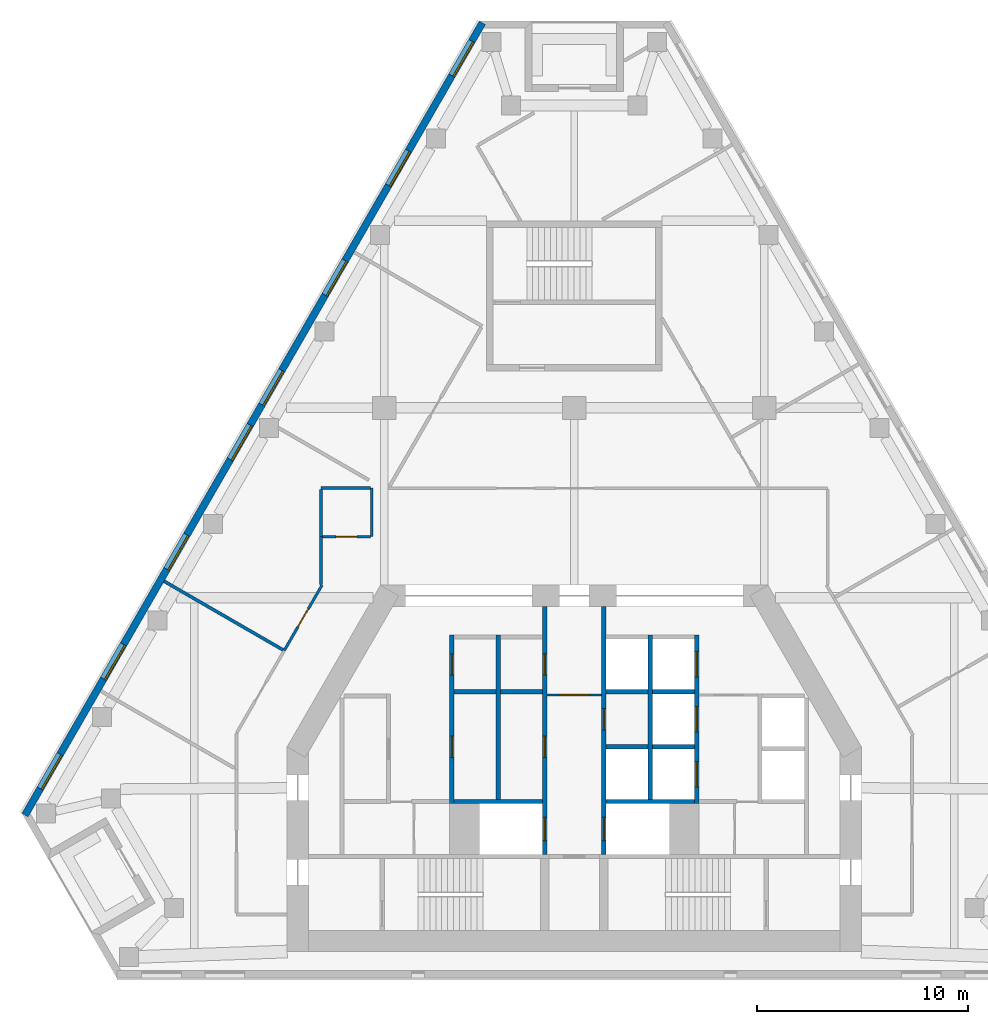
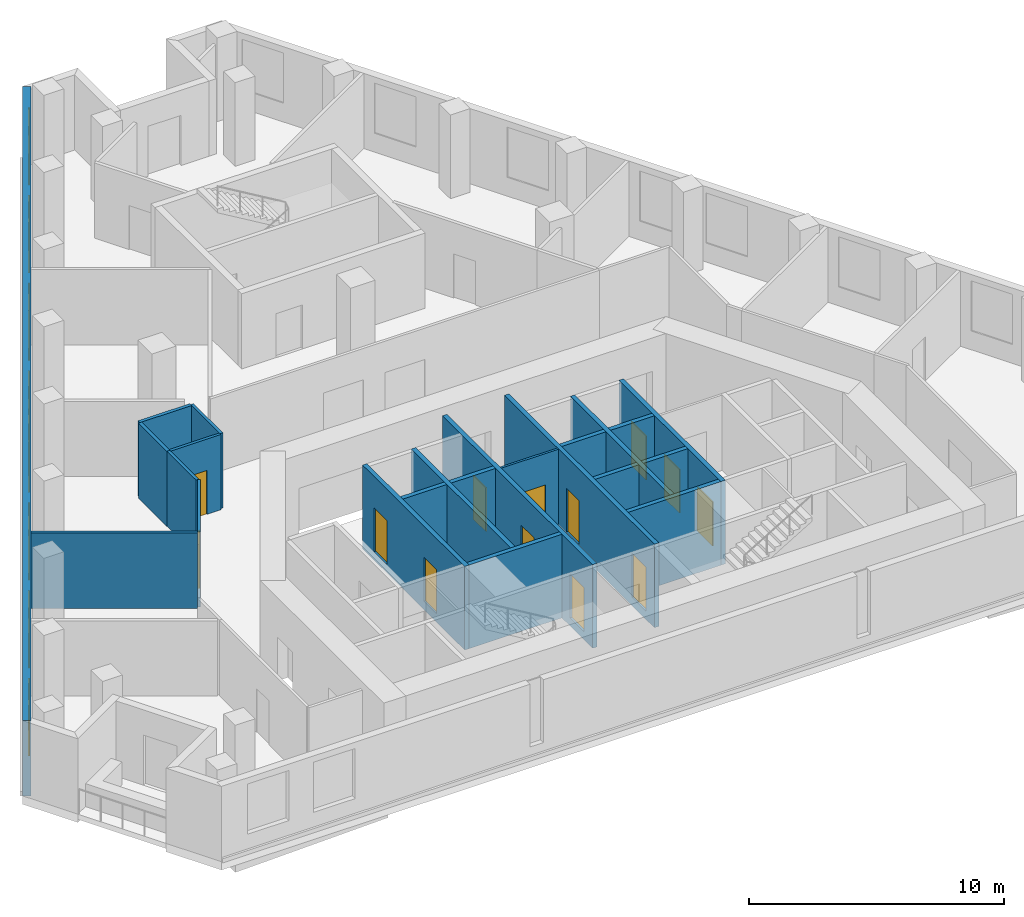
# One storey, part 3 of 7: 23 walls, 13 doors, 8 windows, 21 openings.
"""IFC4 building model written with IfcOpenShell, lengths in metres."""

from ifc_helpers import new_model, si_unit, direction, frame, frame_2d, origin, place, context, subcontext, project, spatial, rectangle, extrude, material, layer, layer_set, type_object, element, fill, save


model = new_model("IFC4")

# Units and contexts
model_context = context("Model", 3, precision=1e-05, world=origin(), true_north=direction((0.0, 1.0)))
body_context = subcontext(model_context, "Body", "Model", "MODEL_VIEW")
ifc_project = project(units=[si_unit("LENGTHUNIT", "METRE"), si_unit("AREAUNIT", "SQUARE_METRE"), si_unit("VOLUMEUNIT", "CUBIC_METRE"), si_unit("PLANEANGLEUNIT", "RADIAN"), si_unit("MASSUNIT", "GRAM", prefix="KILO")], contexts=[model_context])

# Site, building, storey
site_placement = place(None, origin())
site = spatial("IfcSite", under=ifc_project, at=site_placement, CompositionType="ELEMENT")
building_placement = place(site_placement, origin())
building = spatial("IfcBuilding", under=site, at=building_placement, Name="Fogline Exchange Tower", CompositionType="ELEMENT")
storey_placement = place(building_placement, frame((0.0, 0.0, 247.5)))
storey = spatial("IfcBuildingStorey", under=building, at=storey_placement, Name="L56", CompositionType="ELEMENT", Elevation=247.5)

# Wall, opening, door
ifc_material_1 = material(Name="Blockwork partition", Category="masonry")
ifc_layer_1 = layer(ifc_material_1, 0.10009765625)
ifc_layer_set_1 = layer_set([ifc_layer_1], Name="CW10")
wall_type_1 = type_object("IfcWallType", Name="CW10", PredefinedType="PARTITIONING", material=ifc_layer_set_1)
wall_1_placement = place(storey_placement, frame((-1.300048828125, 13.39990234375, 0.0), z_axis=(0.0, 0.0, 1.0), x_axis=(1.0, 0.0, 0.0)))
wall_1 = element("IfcWall", 1, at=wall_1_placement, inside=storey, type_object=wall_type_1, Name="Lift lobby partition", PredefinedType="PARTITIONING", context=body_context, shape_type="SweptSolid", body=[
    extrude(rectangle(XDim=2.60009765625, YDim=0.10009765625, at=frame_2d((1.300048828125, 0.0))), origin(), (0.0, 0.0, 1.0), 3.60009765625),
])
opening_1_placement = place(wall_1_placement, frame((0.60009765625, 0.0, 0.0)))
opening_1 = element("IfcOpeningElement", 2, at=opening_1_placement, cuts=wall_1, Name="Opening T18-C019", PredefinedType="OPENING", context=body_context, shape_type="SweptSolid", body=[
    extrude(rectangle(XDim=1.39990234375, YDim=2.10009765625, at=frame_2d((0.699951171875, 1.050048828125))), frame((0.0, 0.06005859375, 0.0), z_axis=(0.0, -1.0, 0.0), x_axis=(1.0, 0.0, 0.0)), (0.0, 0.0, 1.0), 0.1201171875),
])
ifc_material_2 = material(Name="Steel and timber fire door", Category="steel")
door_type_1 = type_object("IfcDoorType", Name="D-LB1", OperationType="DOUBLE_DOOR_SINGLE_SWING", PredefinedType="DOOR", material=ifc_material_2)
door_1_placement = place(opening_1_placement, origin())
door_1 = element("IfcDoor", 3, at=door_1_placement, inside=storey, type_object=door_type_1, Name="Door to firefighting lift lobby", OperationType="DOUBLE_DOOR_SINGLE_SWING", OverallHeight=2.10009765625, OverallWidth=1.39990234375, PredefinedType="DOOR", context=body_context, shape_type="SweptSolid", body=[
    extrude(rectangle(XDim=1.39990234375, YDim=2.10009765625, at=frame_2d((0.699951171875, 1.050048828125))), frame((0.0, 0.02490234375, 0.0), z_axis=(0.0, -1.0, 0.0), x_axis=(1.0, 0.0, 0.0)), (0.0, 0.0, 1.0), 0.050048828125),
])
fill(opening_1, door_1)

# Walls
ifc_material_3 = material(Name="Concrete C40", Category="concrete")
ifc_layer_2 = layer(ifc_material_3, 0.199951171875)
ifc_layer_set_2 = layer_set([ifc_layer_2], Name="CW20")
wall_type_2 = type_object("IfcWallType", Name="CW20", PredefinedType="SOLIDWALL", material=ifc_layer_set_2)
for number, where, z_axis, x_axis, name in (
    (4, (-5.699951171875, 13.550048828125, 0.0), (0.0, 0.0, 1.0), (1.0, 0.0, 0.0), "Service room wall"),
    (5, (-3.5, 13.550048828125, 0.0), (0.0, 0.0, 1.0), (1.0, 0.0, 0.0), "Service room wall"),
):
    element("IfcWall", number, at=place(storey_placement, frame(where, z_axis=z_axis, x_axis=x_axis)), inside=storey, type_object=wall_type_2, Name=name, PredefinedType="SOLIDWALL", context=body_context, shape_type="SweptSolid", body=[
        extrude(rectangle(XDim=2.0, YDim=0.199951171875, at=frame_2d((1.0, 0.0))), origin(), (0.0, 0.0, 1.0), 3.60009765625),
    ])

# Wall, openings, doors
ifc_layer_3 = layer(ifc_material_3, 0.199951171875)
ifc_layer_set_3 = layer_set([ifc_layer_3], Name="CW20S")
wall_type_3 = type_object("IfcWallType", Name="CW20S", PredefinedType="SOLIDWALL", material=ifc_layer_set_3)
wall_2_placement = place(storey_placement, frame((-5.800048828125, 8.25, -0.39990234375), z_axis=(0.0, 0.0, 1.0), x_axis=(0.0, 1.0, 0.0)))
wall_2 = element("IfcWall", 6, at=wall_2_placement, inside=storey, type_object=wall_type_3, Name="Lift shaft wall", PredefinedType="SOLIDWALL", context=body_context, shape_type="SweptSolid", body=[
    extrude(rectangle(XDim=8.0, YDim=0.199951171875, at=frame_2d((4.0, 0.0))), origin(), (0.0, 0.0, 1.0), 4.0),
])
opening_2_placement = place(wall_2_placement, frame((2.199951171875, 0.0, 0.39990234375)))
opening_2 = element("IfcOpeningElement", 7, at=opening_2_placement, cuts=wall_2, Name="Opening T18-C002", PredefinedType="OPENING", context=body_context, shape_type="SweptSolid", body=[
    extrude(rectangle(XDim=1.0, YDim=2.10009765625, at=frame_2d((0.5, 1.050048828125))), frame((0.0, 0.10986328125, 0.0), z_axis=(0.0, -1.0, 0.0), x_axis=(1.0, 0.0, 0.0)), (0.0, 0.0, 1.0), 0.219970703125),
])
opening_3_placement = place(wall_2_placement, frame((6.10009765625, 0.0, 0.39990234375)))
opening_3 = element("IfcOpeningElement", 8, at=opening_3_placement, cuts=wall_2, Name="Opening T18-C003", PredefinedType="OPENING", context=body_context, shape_type="SweptSolid", body=[
    extrude(rectangle(XDim=1.0, YDim=2.10009765625, at=frame_2d((0.5, 1.050048828125))), frame((0.0, 0.10986328125, 0.0), z_axis=(0.0, -1.0, 0.0), x_axis=(1.0, 0.0, 0.0)), (0.0, 0.0, 1.0), 0.219970703125),
])
door_type_2 = type_object("IfcDoorType", Name="D-RM1", OperationType="SINGLE_SWING_LEFT", PredefinedType="DOOR", material=ifc_material_2)
door_2_placement = place(opening_2_placement, frame((1.0, 0.0, 0.0), z_axis=(0.0, 0.0, 1.0), x_axis=(-1.0, 0.0, 0.0)))
door_2 = element("IfcDoor", 9, at=door_2_placement, inside=storey, type_object=door_type_2, Name="Door to Service Room", OperationType="SINGLE_SWING_LEFT", OverallHeight=2.10009765625, OverallWidth=1.0, PredefinedType="DOOR", context=body_context, shape_type="SweptSolid", body=[
    extrude(rectangle(XDim=1.0, YDim=2.10009765625, at=frame_2d((0.5, 1.050048828125))), frame((0.0, 0.02490234375, 0.0), z_axis=(0.0, -1.0, 0.0), x_axis=(1.0, 0.0, 0.0)), (0.0, 0.0, 1.0), 0.050048828125),
])
fill(opening_2, door_2)
door_3_placement = place(opening_3_placement, frame((1.0, 0.0, 0.0), z_axis=(0.0, 0.0, 1.0), x_axis=(-1.0, 0.0, 0.0)))
door_3 = element("IfcDoor", 10, at=door_3_placement, inside=storey, type_object=door_type_2, Name="Door to Records Store", OperationType="SINGLE_SWING_RIGHT", OverallHeight=2.10009765625, OverallWidth=1.0, PredefinedType="DOOR", context=body_context, shape_type="SweptSolid", body=[
    extrude(rectangle(XDim=1.0, YDim=2.10009765625, at=frame_2d((0.5, 1.050048828125))), frame((0.0, 0.02490234375, 0.0), z_axis=(0.0, -1.0, 0.0), x_axis=(1.0, 0.0, 0.0)), (0.0, 0.0, 1.0), 0.050048828125),
])
fill(opening_3, door_3)

wall_3_placement = place(storey_placement, frame((5.800048828125, 8.25, -0.39990234375), z_axis=(0.0, 0.0, 1.0), x_axis=(0.0, 1.0, 0.0)))
wall_3 = element("IfcWall", 11, at=wall_3_placement, inside=storey, type_object=wall_type_3, Name="Lift shaft wall", PredefinedType="SOLIDWALL", context=body_context, shape_type="SweptSolid", body=[
    extrude(rectangle(XDim=8.0, YDim=0.199951171875, at=frame_2d((4.0, 0.0))), origin(), (0.0, 0.0, 1.0), 4.0),
])
opening_4_placement = place(wall_3_placement, frame((0.800048828125, 0.0, 0.39990234375)))
opening_4 = element("IfcOpeningElement", 12, at=opening_4_placement, cuts=wall_3, Name="Opening T18-LD02", PredefinedType="OPENING", context=body_context, shape_type="SweptSolid", body=[
    extrude(rectangle(XDim=1.199951171875, YDim=2.10009765625, at=frame_2d((0.60009765625, 1.050048828125))), frame((0.0, 0.10986328125, 0.0), z_axis=(0.0, -1.0, 0.0), x_axis=(1.0, 0.0, 0.0)), (0.0, 0.0, 1.0), 0.219970703125),
])
opening_5_placement = place(wall_3_placement, frame((3.39990234375, 0.0, 0.39990234375)))
opening_5 = element("IfcOpeningElement", 13, at=opening_5_placement, cuts=wall_3, Name="Opening T18-LD03", PredefinedType="OPENING", context=body_context, shape_type="SweptSolid", body=[
    extrude(rectangle(XDim=1.199951171875, YDim=2.10009765625, at=frame_2d((0.60009765625, 1.050048828125))), frame((0.0, 0.10986328125, 0.0), z_axis=(0.0, -1.0, 0.0), x_axis=(1.0, 0.0, 0.0)), (0.0, 0.0, 1.0), 0.219970703125),
])
opening_6_placement = place(wall_3_placement, frame((6.0, 0.0, 0.39990234375)))
opening_6 = element("IfcOpeningElement", 14, at=opening_6_placement, cuts=wall_3, Name="Opening T18-LD04", PredefinedType="OPENING", context=body_context, shape_type="SweptSolid", body=[
    extrude(rectangle(XDim=1.199951171875, YDim=2.10009765625, at=frame_2d((0.60009765625, 1.050048828125))), frame((0.0, 0.10986328125, 0.0), z_axis=(0.0, -1.0, 0.0), x_axis=(1.0, 0.0, 0.0)), (0.0, 0.0, 1.0), 0.219970703125),
])
door_type_3 = type_object("IfcDoorType", Name="LD1", OperationType="SLIDING_TO_LEFT", PredefinedType="DOOR", material=ifc_material_2)
door_4_placement = place(opening_4_placement, origin())
door_4 = element("IfcDoor", 15, at=door_4_placement, inside=storey, type_object=door_type_3, Name="Landing door MR1", OperationType="SLIDING_TO_LEFT", OverallHeight=2.10009765625, OverallWidth=1.199951171875, PredefinedType="DOOR", context=body_context, shape_type="SweptSolid", body=[
    extrude(rectangle(XDim=1.199951171875, YDim=2.10009765625, at=frame_2d((0.60009765625, 1.050048828125))), frame((0.0, 0.02490234375, 0.0), z_axis=(0.0, -1.0, 0.0), x_axis=(1.0, 0.0, 0.0)), (0.0, 0.0, 1.0), 0.050048828125),
])
fill(opening_4, door_4)
door_5_placement = place(opening_5_placement, origin())
door_5 = element("IfcDoor", 16, at=door_5_placement, inside=storey, type_object=door_type_3, Name="Landing door MR2", OperationType="SLIDING_TO_LEFT", OverallHeight=2.10009765625, OverallWidth=1.199951171875, PredefinedType="DOOR", context=body_context, shape_type="SweptSolid", body=[
    extrude(rectangle(XDim=1.199951171875, YDim=2.10009765625, at=frame_2d((0.60009765625, 1.050048828125))), frame((0.0, 0.02490234375, 0.0), z_axis=(0.0, -1.0, 0.0), x_axis=(1.0, 0.0, 0.0)), (0.0, 0.0, 1.0), 0.050048828125),
])
fill(opening_5, door_5)
door_6_placement = place(opening_6_placement, origin())
door_6 = element("IfcDoor", 17, at=door_6_placement, inside=storey, type_object=door_type_3, Name="Landing door MR3", OperationType="SLIDING_TO_LEFT", OverallHeight=2.10009765625, OverallWidth=1.199951171875, PredefinedType="DOOR", context=body_context, shape_type="SweptSolid", body=[
    extrude(rectangle(XDim=1.199951171875, YDim=2.10009765625, at=frame_2d((0.60009765625, 1.050048828125))), frame((0.0, 0.02490234375, 0.0), z_axis=(0.0, -1.0, 0.0), x_axis=(1.0, 0.0, 0.0)), (0.0, 0.0, 1.0), 0.050048828125),
])
fill(opening_6, door_6)

# Walls
for number, where, z_axis, x_axis, name in (
    (18, (-3.60009765625, 8.449951171875, -0.39990234375), (0.0, 0.0, 1.0), (0.0, 1.0, 0.0), "Lift shaft wall"),
    (19, (3.60009765625, 8.449951171875, -0.39990234375), (0.0, 0.0, 1.0), (0.0, 1.0, 0.0), "Lift shaft wall"),
):
    element("IfcWall", number, at=place(storey_placement, frame(where, z_axis=z_axis, x_axis=x_axis)), inside=storey, type_object=wall_type_3, Name=name, PredefinedType="SOLIDWALL", context=body_context, shape_type="SweptSolid", body=[
        extrude(rectangle(XDim=7.800048828125, YDim=0.199951171875, at=frame_2d((3.89990234375, 0.0))), origin(), (0.0, 0.0, 1.0), 4.0),
    ])

# Wall, openings, doors
wall_4_placement = place(storey_placement, frame((-1.39990234375, 5.85009765625, -0.39990234375), z_axis=(0.0, 0.0, 1.0), x_axis=(0.0, 1.0, 0.0)))
wall_4 = element("IfcWall", 20, at=wall_4_placement, inside=storey, type_object=wall_type_3, Name="Lift lobby wall", PredefinedType="SOLIDWALL", context=body_context, shape_type="SweptSolid", body=[
    extrude(rectangle(XDim=11.75, YDim=0.199951171875, at=frame_2d((5.875, 0.0))), origin(), (0.0, 0.0, 1.0), 4.0),
])
opening_7_placement = place(wall_4_placement, frame((0.64990234375, 0.0, 0.39990234375)))
opening_7 = element("IfcOpeningElement", 21, at=opening_7_placement, cuts=wall_4, Name="Opening T18-LD01", PredefinedType="OPENING", context=body_context, shape_type="SweptSolid", body=[
    extrude(rectangle(XDim=1.10009765625, YDim=2.10009765625, at=frame_2d((0.550048828125, 1.050048828125))), frame((0.0, 0.10986328125, 0.0), z_axis=(0.0, -1.0, 0.0), x_axis=(1.0, 0.0, 0.0)), (0.0, 0.0, 1.0), 0.219970703125),
])
opening_8_placement = place(wall_4_placement, frame((4.60009765625, 0.0, 0.39990234375)))
opening_8 = element("IfcOpeningElement", 22, at=opening_8_placement, cuts=wall_4, Name="Opening T18-C004", PredefinedType="OPENING", context=body_context, shape_type="SweptSolid", body=[
    extrude(rectangle(XDim=1.0, YDim=2.10009765625, at=frame_2d((0.5, 1.050048828125))), frame((0.0, 0.10986328125, 0.0), z_axis=(0.0, -1.0, 0.0), x_axis=(1.0, 0.0, 0.0)), (0.0, 0.0, 1.0), 0.219970703125),
])
opening_9_placement = place(wall_4_placement, frame((8.5, 0.0, 0.39990234375)))
opening_9 = element("IfcOpeningElement", 23, at=opening_9_placement, cuts=wall_4, Name="Opening T18-C005", PredefinedType="OPENING", context=body_context, shape_type="SweptSolid", body=[
    extrude(rectangle(XDim=1.0, YDim=2.10009765625, at=frame_2d((0.5, 1.050048828125))), frame((0.0, 0.10986328125, 0.0), z_axis=(0.0, -1.0, 0.0), x_axis=(1.0, 0.0, 0.0)), (0.0, 0.0, 1.0), 0.219970703125),
])
door_7_placement = place(opening_8_placement, origin())
door_7 = element("IfcDoor", 24, at=door_7_placement, inside=storey, type_object=door_type_2, Name="Door to Plant Room", OperationType="SINGLE_SWING_LEFT", OverallHeight=2.10009765625, OverallWidth=1.0, PredefinedType="DOOR", context=body_context, shape_type="SweptSolid", body=[
    extrude(rectangle(XDim=1.0, YDim=2.10009765625, at=frame_2d((0.5, 1.050048828125))), frame((0.0, 0.02490234375, 0.0), z_axis=(0.0, -1.0, 0.0), x_axis=(1.0, 0.0, 0.0)), (0.0, 0.0, 1.0), 0.050048828125),
])
fill(opening_8, door_7)
door_8_placement = place(opening_9_placement, origin())
door_8 = element("IfcDoor", 25, at=door_8_placement, inside=storey, type_object=door_type_2, Name="Door to Plant Room", OperationType="SINGLE_SWING_LEFT", OverallHeight=2.10009765625, OverallWidth=1.0, PredefinedType="DOOR", context=body_context, shape_type="SweptSolid", body=[
    extrude(rectangle(XDim=1.0, YDim=2.10009765625, at=frame_2d((0.5, 1.050048828125))), frame((0.0, 0.02490234375, 0.0), z_axis=(0.0, -1.0, 0.0), x_axis=(1.0, 0.0, 0.0)), (0.0, 0.0, 1.0), 0.050048828125),
])
fill(opening_9, door_8)
door_type_4 = type_object("IfcDoorType", Name="LD2", OperationType="SLIDING_TO_RIGHT", PredefinedType="DOOR", material=ifc_material_2)
door_9_placement = place(opening_7_placement, origin())
door_9 = element("IfcDoor", 26, at=door_9_placement, inside=storey, type_object=door_type_4, Name="Landing door FF1", OperationType="SLIDING_TO_RIGHT", OverallHeight=2.10009765625, OverallWidth=1.10009765625, PredefinedType="DOOR", context=body_context, shape_type="SweptSolid", body=[
    extrude(rectangle(XDim=1.10009765625, YDim=2.10009765625, at=frame_2d((0.550048828125, 1.050048828125))), frame((0.0, 0.02490234375, 0.0), z_axis=(0.0, -1.0, 0.0), x_axis=(1.0, 0.0, 0.0)), (0.0, 0.0, 1.0), 0.050048828125),
])
fill(opening_7, door_9)

wall_5_placement = place(storey_placement, frame((1.39990234375, 5.85009765625, -0.39990234375), z_axis=(0.0, 0.0, 1.0), x_axis=(0.0, 1.0, 0.0)))
wall_5 = element("IfcWall", 27, at=wall_5_placement, inside=storey, type_object=wall_type_3, Name="Lift lobby wall", PredefinedType="SOLIDWALL", context=body_context, shape_type="SweptSolid", body=[
    extrude(rectangle(XDim=11.75, YDim=0.199951171875, at=frame_2d((5.875, 0.0))), origin(), (0.0, 0.0, 1.0), 4.0),
])
opening_10_placement = place(wall_5_placement, frame((0.64990234375, 0.0, 0.39990234375)))
opening_10 = element("IfcOpeningElement", 28, at=opening_10_placement, cuts=wall_5, Name="Opening T18-LD05", PredefinedType="OPENING", context=body_context, shape_type="SweptSolid", body=[
    extrude(rectangle(XDim=1.10009765625, YDim=2.10009765625, at=frame_2d((0.550048828125, 1.050048828125))), frame((0.0, 0.10986328125, 0.0), z_axis=(0.0, -1.0, 0.0), x_axis=(1.0, 0.0, 0.0)), (0.0, 0.0, 1.0), 0.219970703125),
])
opening_11_placement = place(wall_5_placement, frame((5.89990234375, 0.0, 0.39990234375)))
opening_11 = element("IfcOpeningElement", 29, at=opening_11_placement, cuts=wall_5, Name="Opening T18-C006", PredefinedType="OPENING", context=body_context, shape_type="SweptSolid", body=[
    extrude(rectangle(XDim=1.0, YDim=2.10009765625, at=frame_2d((0.5, 1.050048828125))), frame((0.0, 0.10986328125, 0.0), z_axis=(0.0, -1.0, 0.0), x_axis=(1.0, 0.0, 0.0)), (0.0, 0.0, 1.0), 0.219970703125),
])
door_10_placement = place(opening_11_placement, frame((1.0, 0.0, 0.0), z_axis=(0.0, 0.0, 1.0), x_axis=(-1.0, 0.0, 0.0)))
door_10 = element("IfcDoor", 30, at=door_10_placement, inside=storey, type_object=door_type_2, Name="Door to Library Store", OperationType="SINGLE_SWING_RIGHT", OverallHeight=2.10009765625, OverallWidth=1.0, PredefinedType="DOOR", context=body_context, shape_type="SweptSolid", body=[
    extrude(rectangle(XDim=1.0, YDim=2.10009765625, at=frame_2d((0.5, 1.050048828125))), frame((0.0, 0.02490234375, 0.0), z_axis=(0.0, -1.0, 0.0), x_axis=(1.0, 0.0, 0.0)), (0.0, 0.0, 1.0), 0.050048828125),
])
fill(opening_11, door_10)
door_11_placement = place(opening_10_placement, origin())
door_11 = element("IfcDoor", 31, at=door_11_placement, inside=storey, type_object=door_type_4, Name="Landing door FF2", OperationType="SLIDING_TO_RIGHT", OverallHeight=2.10009765625, OverallWidth=1.10009765625, PredefinedType="DOOR", context=body_context, shape_type="SweptSolid", body=[
    extrude(rectangle(XDim=1.10009765625, YDim=2.10009765625, at=frame_2d((0.550048828125, 1.050048828125))), frame((0.0, 0.02490234375, 0.0), z_axis=(0.0, -1.0, 0.0), x_axis=(1.0, 0.0, 0.0)), (0.0, 0.0, 1.0), 0.050048828125),
])
fill(opening_10, door_11)

# Walls
for number, where, z_axis, x_axis, name in (
    (32, (-5.699951171875, 8.35009765625, -0.39990234375), (0.0, 0.0, 1.0), (1.0, 0.0, 0.0), "Lift shaft wall"),
    (33, (1.5, 8.35009765625, -0.39990234375), (0.0, 0.0, 1.0), (1.0, 0.0, 0.0), "Lift shaft wall"),
):
    element("IfcWall", number, at=place(storey_placement, frame(where, z_axis=z_axis, x_axis=x_axis)), inside=storey, type_object=wall_type_3, Name=name, PredefinedType="SOLIDWALL", context=body_context, shape_type="SweptSolid", body=[
        extrude(rectangle(XDim=4.199951171875, YDim=0.199951171875, at=frame_2d((2.10009765625, 0.0))), origin(), (0.0, 0.0, 1.0), 4.0),
    ])
for number, where, z_axis, x_axis, name in (
    (34, (3.699951171875, 10.949951171875, -0.39990234375), (0.0, 0.0, 1.0), (1.0, 0.0, 0.0), "Lift shaft wall"),
    (35, (3.699951171875, 13.550048828125, -0.39990234375), (0.0, 0.0, 1.0), (1.0, 0.0, 0.0), "Lift shaft wall"),
    (36, (1.5, 10.949951171875, -0.39990234375), (0.0, 0.0, 1.0), (1.0, 0.0, 0.0), "Lift shaft wall"),
    (37, (1.5, 13.550048828125, -0.39990234375), (0.0, 0.0, 1.0), (1.0, 0.0, 0.0), "Lift shaft wall"),
):
    element("IfcWall", number, at=place(storey_placement, frame(where, z_axis=z_axis, x_axis=x_axis)), inside=storey, type_object=wall_type_3, Name=name, PredefinedType="SOLIDWALL", context=body_context, shape_type="SweptSolid", body=[
        extrude(rectangle(XDim=2.0, YDim=0.199951171875, at=frame_2d((1.0, 0.0))), origin(), (0.0, 0.0, 1.0), 4.0),
    ])

# Wall, openings, windows
ifc_material_4 = material(Name="Brick masonry", Category="masonry")
ifc_layer_4 = layer(ifc_material_4, 0.340087890625)
ifc_layer_set_4 = layer_set([ifc_layer_4], Name="FW1")
wall_type_4 = type_object("IfcWallType", Name="FW1", PredefinedType="SOLIDWALL", material=ifc_layer_set_4)
wall_6_placement = place(storey_placement, frame((-4.352783203125, 45.24169921875, 0.0), z_axis=(0.0, 0.0, 1.0), x_axis=(-0.500000891752, -0.866024888931, 0.0)))
wall_6 = element("IfcWall", 38, at=wall_6_placement, inside=storey, type_object=wall_type_4, Name="Brick wall L56 W", PredefinedType="SOLIDWALL", context=body_context, shape_type="SweptSolid", body=[
    extrude(rectangle(XDim=43.3388671875, YDim=0.340087890625, at=frame_2d((21.66943359375, 0.0))), origin(), (0.0, 0.0, 1.0), 3.60009765625),
])
opening_12_placement = place(wall_6_placement, frame((1.004150390625, 0.0, 0.89990234375)))
opening_12 = element("IfcOpeningElement", 39, at=opening_12_placement, cuts=wall_6, Name="Opening W1", PredefinedType="OPENING", context=body_context, shape_type="SweptSolid", body=[
    extrude(rectangle(XDim=1.885009765625, YDim=2.39990234375, at=frame_2d((0.9423828125, 1.199951171875))), frame((0.0, 0.18017578125, 0.0), z_axis=(0.0, -1.0, 0.0), x_axis=(1.0, 0.0, 0.0)), (0.0, 0.0, 1.0), 0.360107421875),
])
opening_13_placement = place(wall_6_placement, frame((7.004150390625, 0.0, 0.89990234375)))
opening_13 = element("IfcOpeningElement", 40, at=opening_13_placement, cuts=wall_6, Name="Opening W1", PredefinedType="OPENING", context=body_context, shape_type="SweptSolid", body=[
    extrude(rectangle(XDim=1.885009765625, YDim=2.39990234375, at=frame_2d((0.9423828125, 1.199951171875))), frame((0.0, 0.18017578125, 0.0), z_axis=(0.0, -1.0, 0.0), x_axis=(1.0, 0.0, 0.0)), (0.0, 0.0, 1.0), 0.360107421875),
])
opening_14_placement = place(wall_6_placement, frame((13.004150390625, 0.0, 0.89990234375)))
opening_14 = element("IfcOpeningElement", 41, at=opening_14_placement, cuts=wall_6, Name="Opening W1", PredefinedType="OPENING", context=body_context, shape_type="SweptSolid", body=[
    extrude(rectangle(XDim=1.885009765625, YDim=2.39990234375, at=frame_2d((0.9423828125, 1.199951171875))), frame((0.0, 0.18017578125, 0.0), z_axis=(0.0, -1.0, 0.0), x_axis=(1.0, 0.0, 0.0)), (0.0, 0.0, 1.0), 0.360107421875),
])
opening_15_placement = place(wall_6_placement, frame((19.004150390625, 0.0, 0.89990234375)))
opening_15 = element("IfcOpeningElement", 42, at=opening_15_placement, cuts=wall_6, Name="Opening W1", PredefinedType="OPENING", context=body_context, shape_type="SweptSolid", body=[
    extrude(rectangle(XDim=1.885009765625, YDim=2.39990234375, at=frame_2d((0.9423828125, 1.199951171875))), frame((0.0, 0.18017578125, 0.0), z_axis=(0.0, -1.0, 0.0), x_axis=(1.0, 0.0, 0.0)), (0.0, 0.0, 1.0), 0.360107421875),
])
opening_16_placement = place(wall_6_placement, frame((22.004150390625, 0.0, 0.89990234375)))
opening_16 = element("IfcOpeningElement", 43, at=opening_16_placement, cuts=wall_6, Name="Opening W1", PredefinedType="OPENING", context=body_context, shape_type="SweptSolid", body=[
    extrude(rectangle(XDim=1.885009765625, YDim=2.39990234375, at=frame_2d((0.9423828125, 1.199951171875))), frame((0.0, 0.18017578125, 0.0), z_axis=(0.0, -1.0, 0.0), x_axis=(1.0, 0.0, 0.0)), (0.0, 0.0, 1.0), 0.360107421875),
])
opening_17_placement = place(wall_6_placement, frame((28.004150390625, 0.0, 0.89990234375)))
opening_17 = element("IfcOpeningElement", 44, at=opening_17_placement, cuts=wall_6, Name="Opening W1", PredefinedType="OPENING", context=body_context, shape_type="SweptSolid", body=[
    extrude(rectangle(XDim=1.885009765625, YDim=2.39990234375, at=frame_2d((0.9423828125, 1.199951171875))), frame((0.0, 0.18017578125, 0.0), z_axis=(0.0, -1.0, 0.0), x_axis=(1.0, 0.0, 0.0)), (0.0, 0.0, 1.0), 0.360107421875),
])
opening_18_placement = place(wall_6_placement, frame((34.004150390625, 0.0, 0.89990234375)))
opening_18 = element("IfcOpeningElement", 45, at=opening_18_placement, cuts=wall_6, Name="Opening W1", PredefinedType="OPENING", context=body_context, shape_type="SweptSolid", body=[
    extrude(rectangle(XDim=1.885009765625, YDim=2.39990234375, at=frame_2d((0.9423828125, 1.199951171875))), frame((0.0, 0.18017578125, 0.0), z_axis=(0.0, -1.0, 0.0), x_axis=(1.0, 0.0, 0.0)), (0.0, 0.0, 1.0), 0.360107421875),
])
opening_19_placement = place(wall_6_placement, frame((40.004150390625, 0.0, 0.89990234375)))
opening_19 = element("IfcOpeningElement", 46, at=opening_19_placement, cuts=wall_6, Name="Opening W1", PredefinedType="OPENING", context=body_context, shape_type="SweptSolid", body=[
    extrude(rectangle(XDim=1.885009765625, YDim=2.39990234375, at=frame_2d((0.9423828125, 1.199951171875))), frame((0.0, 0.18017578125, 0.0), z_axis=(0.0, -1.0, 0.0), x_axis=(1.0, 0.0, 0.0)), (0.0, 0.0, 1.0), 0.360107421875),
])
ifc_material_5 = material(Name="Aluminium and glass", Category="aluminium")
window_type = type_object("IfcWindowType", Name="W1", PartitioningType="SINGLE_PANEL", PredefinedType="WINDOW", material=ifc_material_5)
window_1_placement = place(opening_12_placement, origin())
window_1 = element("IfcWindow", 47, at=window_1_placement, inside=storey, type_object=window_type, Name="W1 W1", OverallHeight=2.39990234375, OverallWidth=1.885009765625, PartitioningType="SINGLE_PANEL", PredefinedType="WINDOW", context=body_context, shape_type="SweptSolid", body=[
    extrude(rectangle(XDim=1.885009765625, YDim=2.39990234375, at=frame_2d((0.9423828125, 1.199951171875))), frame((0.0, 0.110107421875, 0.0), z_axis=(0.0, -1.0, 0.0), x_axis=(1.0, 0.0, 0.0)), (0.0, 0.0, 1.0), 0.06005859375),
])
fill(opening_12, window_1)
window_2_placement = place(opening_13_placement, origin())
window_2 = element("IfcWindow", 48, at=window_2_placement, inside=storey, type_object=window_type, Name="W1 W1", OverallHeight=2.39990234375, OverallWidth=1.885009765625, PartitioningType="SINGLE_PANEL", PredefinedType="WINDOW", context=body_context, shape_type="SweptSolid", body=[
    extrude(rectangle(XDim=1.885009765625, YDim=2.39990234375, at=frame_2d((0.9423828125, 1.199951171875))), frame((0.0, 0.110107421875, 0.0), z_axis=(0.0, -1.0, 0.0), x_axis=(1.0, 0.0, 0.0)), (0.0, 0.0, 1.0), 0.06005859375),
])
fill(opening_13, window_2)
window_3_placement = place(opening_14_placement, origin())
window_3 = element("IfcWindow", 49, at=window_3_placement, inside=storey, type_object=window_type, Name="W1 W1", OverallHeight=2.39990234375, OverallWidth=1.885009765625, PartitioningType="SINGLE_PANEL", PredefinedType="WINDOW", context=body_context, shape_type="SweptSolid", body=[
    extrude(rectangle(XDim=1.885009765625, YDim=2.39990234375, at=frame_2d((0.9423828125, 1.199951171875))), frame((0.0, 0.110107421875, 0.0), z_axis=(0.0, -1.0, 0.0), x_axis=(1.0, 0.0, 0.0)), (0.0, 0.0, 1.0), 0.06005859375),
])
fill(opening_14, window_3)
window_4_placement = place(opening_15_placement, origin())
window_4 = element("IfcWindow", 50, at=window_4_placement, inside=storey, type_object=window_type, Name="W1 W1", OverallHeight=2.39990234375, OverallWidth=1.885009765625, PartitioningType="SINGLE_PANEL", PredefinedType="WINDOW", context=body_context, shape_type="SweptSolid", body=[
    extrude(rectangle(XDim=1.885009765625, YDim=2.39990234375, at=frame_2d((0.9423828125, 1.199951171875))), frame((0.0, 0.110107421875, 0.0), z_axis=(0.0, -1.0, 0.0), x_axis=(1.0, 0.0, 0.0)), (0.0, 0.0, 1.0), 0.06005859375),
])
fill(opening_15, window_4)
window_5_placement = place(opening_16_placement, origin())
window_5 = element("IfcWindow", 51, at=window_5_placement, inside=storey, type_object=window_type, Name="W1 W1", OverallHeight=2.39990234375, OverallWidth=1.885009765625, PartitioningType="SINGLE_PANEL", PredefinedType="WINDOW", context=body_context, shape_type="SweptSolid", body=[
    extrude(rectangle(XDim=1.885009765625, YDim=2.39990234375, at=frame_2d((0.9423828125, 1.199951171875))), frame((0.0, 0.110107421875, 0.0), z_axis=(0.0, -1.0, 0.0), x_axis=(1.0, 0.0, 0.0)), (0.0, 0.0, 1.0), 0.06005859375),
])
fill(opening_16, window_5)
window_6_placement = place(opening_17_placement, origin())
window_6 = element("IfcWindow", 52, at=window_6_placement, inside=storey, type_object=window_type, Name="W1 W1", OverallHeight=2.39990234375, OverallWidth=1.885009765625, PartitioningType="SINGLE_PANEL", PredefinedType="WINDOW", context=body_context, shape_type="SweptSolid", body=[
    extrude(rectangle(XDim=1.885009765625, YDim=2.39990234375, at=frame_2d((0.9423828125, 1.199951171875))), frame((0.0, 0.110107421875, 0.0), z_axis=(0.0, -1.0, 0.0), x_axis=(1.0, 0.0, 0.0)), (0.0, 0.0, 1.0), 0.06005859375),
])
fill(opening_17, window_6)
window_7_placement = place(opening_18_placement, origin())
window_7 = element("IfcWindow", 53, at=window_7_placement, inside=storey, type_object=window_type, Name="W1 W1", OverallHeight=2.39990234375, OverallWidth=1.885009765625, PartitioningType="SINGLE_PANEL", PredefinedType="WINDOW", context=body_context, shape_type="SweptSolid", body=[
    extrude(rectangle(XDim=1.885009765625, YDim=2.39990234375, at=frame_2d((0.9423828125, 1.199951171875))), frame((0.0, 0.110107421875, 0.0), z_axis=(0.0, -1.0, 0.0), x_axis=(1.0, 0.0, 0.0)), (0.0, 0.0, 1.0), 0.06005859375),
])
fill(opening_18, window_7)
window_8_placement = place(opening_19_placement, origin())
window_8 = element("IfcWindow", 54, at=window_8_placement, inside=storey, type_object=window_type, Name="W1 W1", OverallHeight=2.39990234375, OverallWidth=1.885009765625, PartitioningType="SINGLE_PANEL", PredefinedType="WINDOW", context=body_context, shape_type="SweptSolid", body=[
    extrude(rectangle(XDim=1.885009765625, YDim=2.39990234375, at=frame_2d((0.9423828125, 1.199951171875))), frame((0.0, 0.110107421875, 0.0), z_axis=(0.0, -1.0, 0.0), x_axis=(1.0, 0.0, 0.0)), (0.0, 0.0, 1.0), 0.06005859375),
])
fill(opening_19, window_8)

# Wall, opening, door
ifc_material_6 = material(Name="Plasterboard corridor partition with mineral wool, 2 layers each side")
ifc_layer_5 = layer(ifc_material_6, 0.125)
ifc_layer_set_5 = layer_set([ifc_layer_5], Name="PW2")
wall_type_5 = type_object("IfcWallType", Name="PW2", PredefinedType="PARTITIONING", material=ifc_layer_set_5)
wall_7_placement = place(storey_placement, frame((-11.925048828125, 20.89990234375, 0.0), z_axis=(0.0, 0.0, 1.0), x_axis=(1.0, 0.0, 0.0)))
wall_7 = element("IfcWall", 55, at=wall_7_placement, inside=storey, type_object=wall_type_5, Name="wall-L56-W009", PredefinedType="PARTITIONING", context=body_context, shape_type="SweptSolid", body=[
    extrude(rectangle(XDim=2.262451171875, YDim=0.125, at=frame_2d((1.13134765625, 0.0))), origin(), (0.0, 0.0, 1.0), 3.60009765625),
])
opening_20_placement = place(wall_7_placement, frame((0.63134765625, 0.0, 0.0)))
opening_20 = element("IfcOpeningElement", 56, at=opening_20_placement, cuts=wall_7, Name="Opening T18-D004", PredefinedType="OPENING", context=body_context, shape_type="SweptSolid", body=[
    extrude(rectangle(XDim=1.0, YDim=2.10009765625, at=frame_2d((0.5, 1.050048828125))), frame((0.0, 0.072509765625, 0.0), z_axis=(0.0, -1.0, 0.0), x_axis=(1.0, 0.0, 0.0)), (0.0, 0.0, 1.0), 0.14501953125),
])
ifc_material_7 = material(Name="Fire-rated timber door leaf with steel frame", Category="steel")
door_type_5 = type_object("IfcDoorType", Name="D3", OperationType="SINGLE_SWING_LEFT", PredefinedType="DOOR", material=ifc_material_7)
door_12_placement = place(opening_20_placement, origin())
door_12 = element("IfcDoor", 57, at=door_12_placement, inside=storey, type_object=door_type_5, Name="door-L56-D004", OperationType="SINGLE_SWING_LEFT", OverallHeight=2.10009765625, OverallWidth=1.0, PredefinedType="DOOR", context=body_context, shape_type="SweptSolid", body=[
    extrude(rectangle(XDim=1.0, YDim=2.10009765625, at=frame_2d((0.5, 1.050048828125))), frame((0.0, 0.02490234375, 0.0), z_axis=(0.0, -1.0, 0.0), x_axis=(1.0, 0.0, 0.0)), (0.0, 0.0, 1.0), 0.050048828125),
])
fill(opening_20, door_12)

# Walls
wall_8_placement = place(storey_placement, frame((-9.60009765625, 20.89990234375, 0.0), z_axis=(0.0, 0.0, 1.0), x_axis=(0.0, 1.0, 0.0)))
element("IfcWall", 58, at=wall_8_placement, inside=storey, type_object=wall_type_5, Name="wall-L56-W010", PredefinedType="PARTITIONING", context=body_context, shape_type="SweptSolid", body=[
    extrude(rectangle(XDim=2.300048828125, YDim=0.125, at=frame_2d((1.14990234375, 0.0))), origin(), (0.0, 0.0, 1.0), 3.60009765625),
])
wall_9_placement = place(storey_placement, frame((-12.0, 18.631591796875, 0.0), z_axis=(0.0, 0.0, 1.0), x_axis=(0.0, 1.0, 0.0)))
element("IfcWall", 59, at=wall_9_placement, inside=storey, type_object=wall_type_5, Name="wall-L56-W011", PredefinedType="PARTITIONING", context=body_context, shape_type="SweptSolid", body=[
    extrude(rectangle(XDim=2.268310546875, YDim=0.125, at=frame_2d((1.13427734375, 0.0))), origin(), (0.0, 0.0, 1.0), 3.60009765625),
])

# Wall, opening, door
wall_10_placement = place(storey_placement, frame((-13.7392578125, 15.50439453125, 0.0), z_axis=(0.0, 0.0, 1.0), x_axis=(0.500010172281, 0.866019530736, 0.0)))
wall_10 = element("IfcWall", 60, at=wall_10_placement, inside=storey, type_object=wall_type_5, Name="wall-L56-W012", PredefinedType="PARTITIONING", context=body_context, shape_type="SweptSolid", body=[
    extrude(rectangle(XDim=3.57470703125, YDim=0.125, at=frame_2d((1.787353515625, 0.0))), origin(), (0.0, 0.0, 1.0), 3.60009765625),
])
opening_21_placement = place(wall_10_placement, frame((1.287353515625, 0.0, 0.0)))
opening_21 = element("IfcOpeningElement", 61, at=opening_21_placement, cuts=wall_10, Name="Opening T18-D005", PredefinedType="OPENING", context=body_context, shape_type="SweptSolid", body=[
    extrude(rectangle(XDim=1.0, YDim=2.10009765625, at=frame_2d((0.5, 1.050048828125))), frame((0.0, 0.072509765625, 0.0), z_axis=(0.0, -1.0, 0.0), x_axis=(1.0, 0.0, 0.0)), (0.0, 0.0, 1.0), 0.14501953125),
])
door_13_placement = place(opening_21_placement, origin())
door_13 = element("IfcDoor", 62, at=door_13_placement, inside=storey, type_object=door_type_5, Name="door-L56-D005", OperationType="SINGLE_SWING_LEFT", OverallHeight=2.10009765625, OverallWidth=1.0, PredefinedType="DOOR", context=body_context, shape_type="SweptSolid", body=[
    extrude(rectangle(XDim=1.0, YDim=2.10009765625, at=frame_2d((0.5, 1.050048828125))), frame((0.0, 0.02490234375, 0.0), z_axis=(0.0, -1.0, 0.0), x_axis=(1.0, 0.0, 0.0)), (0.0, 0.0, 1.0), 0.050048828125),
])
fill(opening_21, door_13)

# Walls
ifc_material_8 = material(Name="Plasterboard demising partition with mineral wool and acoustic board")
ifc_layer_6 = layer(ifc_material_8, 0.14990234375)
ifc_layer_set_6 = layer_set([ifc_layer_6], Name="PW3")
wall_type_6 = type_object("IfcWallType", Name="PW3", PredefinedType="PARTITIONING", material=ifc_layer_set_6)
wall_11_placement = place(storey_placement, frame((-12.0, 20.89990234375, 0.0), z_axis=(0.0, 0.0, 1.0), x_axis=(0.0, 1.0, 0.0)))
element("IfcWall", 63, at=wall_11_placement, inside=storey, type_object=wall_type_6, Name="wall-L56-W029", PredefinedType="PARTITIONING", context=body_context, shape_type="SweptSolid", body=[
    extrude(rectangle(XDim=2.22509765625, YDim=0.14990234375, at=frame_2d((1.112548828125, 0.0))), origin(), (0.0, 0.0, 1.0), 3.60009765625),
])
wall_12_placement = place(storey_placement, frame((-12.0, 23.199951171875, 0.0), z_axis=(0.0, 0.0, 1.0), x_axis=(1.0, 0.0, 0.0)))
element("IfcWall", 64, at=wall_12_placement, inside=storey, type_object=wall_type_6, Name="wall-L56-W030", PredefinedType="PARTITIONING", context=body_context, shape_type="SweptSolid", body=[
    extrude(rectangle(XDim=2.33740234375, YDim=0.14990234375, at=frame_2d((1.168701171875, 0.0))), origin(), (0.0, 0.0, 1.0), 3.60009765625),
])
wall_13_placement = place(storey_placement, frame((-13.793212890625, 15.53564453125, 0.0), z_axis=(0.0, 0.0, 1.0), x_axis=(-0.866025018171, 0.500000667901, 0.0)))
element("IfcWall", 65, at=wall_13_placement, inside=storey, type_object=wall_type_6, Name="wall-L56-W031", PredefinedType="PARTITIONING", context=body_context, shape_type="SweptSolid", body=[
    extrude(rectangle(XDim=6.50732421875, YDim=0.14990234375, at=frame_2d((3.253662109375, 0.0))), origin(), (0.0, 0.0, 1.0), 3.60009765625),
])

save(model, "model.ifc")
